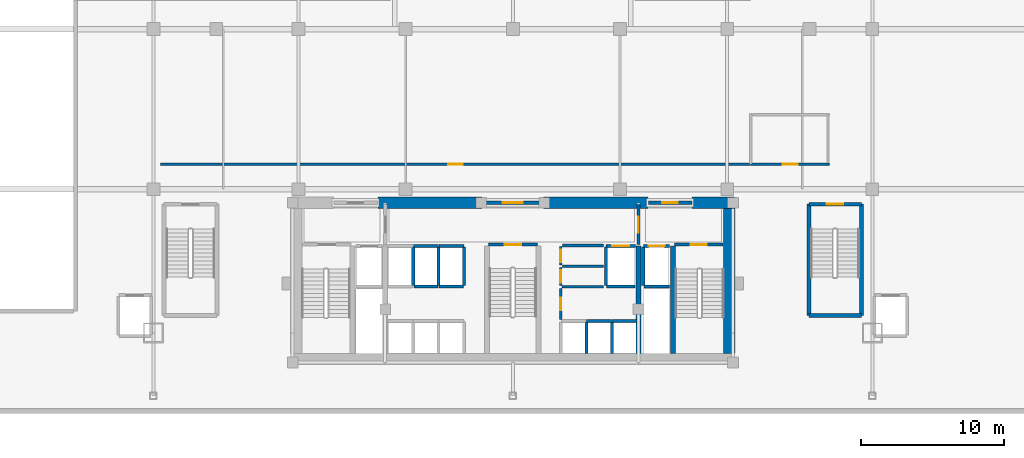
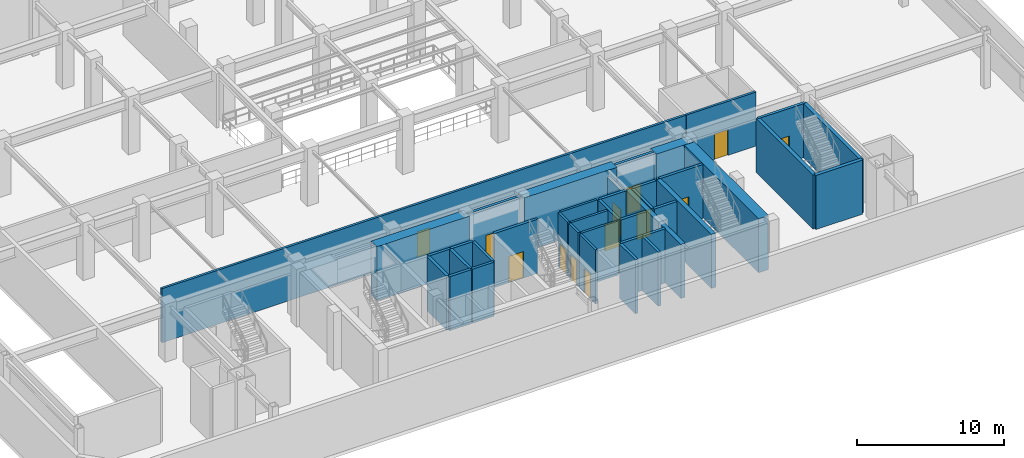
# One storey, part 6 of 10: 40 walls, 13 doors, 13 openings.
"""IFC4 building model written with IfcOpenShell, lengths in metres."""

from ifc_helpers import new_model, si_unit, direction, frame, frame_2d, origin, place, context, subcontext, project, spatial, rectangle, extrude, material, layer, layer_set, type_object, element, fill, save


model = new_model("IFC4")

# Units and contexts
model_context = context("Model", 3, precision=1e-05, world=origin(), true_north=direction((0.0, 1.0)))
body_context = subcontext(model_context, "Body", "Model", "MODEL_VIEW")
ifc_project = project(units=[si_unit("LENGTHUNIT", "METRE"), si_unit("AREAUNIT", "SQUARE_METRE"), si_unit("VOLUMEUNIT", "CUBIC_METRE"), si_unit("PLANEANGLEUNIT", "RADIAN"), si_unit("MASSUNIT", "GRAM", prefix="KILO")], contexts=[model_context])

# Site, building, storey
site_placement = place(None, origin())
site = spatial("IfcSite", under=ifc_project, at=site_placement, CompositionType="ELEMENT")
building_placement = place(site_placement, origin())
building = spatial("IfcBuilding", under=site, at=building_placement, Name="Ventersveld Concourse Tower", CompositionType="ELEMENT")
storey_placement = place(building_placement, frame((0.0, 0.0, 15.0)))
storey = spatial("IfcBuildingStorey", under=building, at=storey_placement, Name="L03", CompositionType="ELEMENT", Elevation=15.0)

# Walls
ifc_material_1 = material(Name="Concrete C60/75", Category="concrete")
ifc_layer_1 = layer(ifc_material_1, 0.35009765625)
ifc_layer_set_1 = layer_set([ifc_layer_1], Name="Concrete C60/75")
wall_type_1 = type_object("IfcWallType", Name="WL-CORE-350L", PredefinedType="SHEAR", material=ifc_layer_set_1)
for number, where, z_axis, x_axis, name in (
    (1, (37.550048828125, 0.919921875, 0.0), (0.0, 0.0, 1.0), (0.0, 1.0, 0.0), "L03 Core Internal Shear Web W-SVL-W"),
    (2, (39.9599609375, 0.919921875, 0.0), (0.0, 0.0, 1.0), (0.0, 1.0, 0.0), "L03 Core Internal Shear Web W-ST2-W"),
):
    element("IfcWall", number, at=place(storey_placement, frame(where, z_axis=z_axis, x_axis=x_axis)), inside=storey, type_object=wall_type_1, Name=name, PredefinedType="SHEAR", context=body_context, shape_type="SweptSolid", body=[
        extrude(rectangle(XDim=7.5, YDim=0.35009765625, at=frame_2d((3.75, 0.0))), origin(), (0.0, 0.0, 1.0), 4.5),
    ])
ifc_layer_2 = layer(ifc_material_1, 0.800048828125)
ifc_layer_set_2 = layer_set([ifc_layer_2], Name="Concrete C60/75")
wall_type_2 = type_object("IfcWallType", Name="WL-CORE-800", PredefinedType="SHEAR", material=ifc_layer_set_2)
wall_1_placement = place(storey_placement, frame((43.89990234375, 0.919921875, 0.0), z_axis=(0.0, 0.0, 1.0), x_axis=(0.0, 1.0, 0.0)))
element("IfcWall", 3, at=wall_1_placement, inside=storey, type_object=wall_type_2, Name="L03 Rear Core East Shear Wall", PredefinedType="SHEAR", context=body_context, shape_type="SweptSolid", body=[
    extrude(rectangle(XDim=10.530029296875, YDim=0.800048828125, at=frame_2d((5.26513671875, 0.0))), origin(), (0.0, 0.0, 1.0), 4.5),
])
for number, where, z_axis, x_axis, name in (
    (4, (19.300048828125, 11.449951171875, 0.0), (0.0, 0.0, 1.0), (1.0, 0.0, 0.0), "L03 Rear Core North Shear Wall NML"),
    (5, (30.89990234375, 11.449951171875, 0.0), (0.0, 0.0, 1.0), (1.0, 0.0, 0.0), "L03 Rear Core North Shear Wall NMR"),
):
    element("IfcWall", number, at=place(storey_placement, frame(where, z_axis=z_axis, x_axis=x_axis)), inside=storey, type_object=wall_type_2, Name=name, PredefinedType="SHEAR", context=body_context, shape_type="SweptSolid", body=[
        extrude(rectangle(XDim=7.300048828125, YDim=0.800048828125, at=frame_2d((3.64990234375, 0.0))), origin(), (0.0, 0.0, 1.0), 4.5),
    ])
wall_2_placement = place(storey_placement, frame((41.300048828125, 11.449951171875, 0.0), z_axis=(0.0, 0.0, 1.0), x_axis=(1.0, 0.0, 0.0)))
element("IfcWall", 6, at=wall_2_placement, inside=storey, type_object=wall_type_2, Name="L03 Rear Core North Shear Wall NE", PredefinedType="SHEAR", context=body_context, shape_type="SweptSolid", body=[
    extrude(rectangle(XDim=2.949951171875, YDim=0.800048828125, at=frame_2d((1.47509765625, 0.0))), origin(), (0.0, 0.0, 1.0), 4.5),
])

# Wall, opening, door
ifc_material_2 = material(Name="Fire-rated autoclaved aerated masonry blockwork", Category="masonry")
ifc_layer_3 = layer(ifc_material_2, 0.179931640625)
ifc_layer_set_3 = layer_set([ifc_layer_3], Name="Fire-rated autoclaved aerated masonry blockwork")
wall_type_3 = type_object("IfcWallType", Name="WL-CORR-180", PredefinedType="PARTITIONING", material=ifc_layer_set_3)
wall_3_placement = place(storey_placement, frame((32.10009765625, 5.64990234375, 0.0), z_axis=(0.0, 0.0, 1.0), x_axis=(0.0, 1.0, 0.0)))
wall_3 = element("IfcWall", 7, at=wall_3_placement, inside=storey, type_object=wall_type_3, Name="L03 Core Passage Wall SP-L03-CBAY1S", PredefinedType="PARTITIONING", context=body_context, shape_type="SweptSolid", body=[
    extrude(rectangle(XDim=1.27001953125, YDim=0.179931640625, at=frame_2d((0.635009765625, 0.0))), origin(), (0.0, 0.0, 1.0), 4.5),
])
opening_1_placement = place(wall_3_placement, frame((0.195068359375, 0.0, 0.0)))
opening_1 = element("IfcOpeningElement", 8, at=opening_1_placement, cuts=wall_3, Name="Opening FD5", PredefinedType="OPENING", context=body_context, shape_type="SweptSolid", body=[
    extrude(rectangle(XDim=0.8798828125, YDim=2.050048828125, at=frame_2d((0.43994140625, 1.02490234375))), frame((0.0, 0.10009765625, 0.0), z_axis=(0.0, -1.0, 0.0), x_axis=(1.0, 0.0, 0.0)), (0.0, 0.0, 1.0), 0.199951171875),
])
ifc_material_3 = material(Name="Galvanised painted steel", Category="steel")
door_type_1 = type_object("IfcDoorType", Name="DR-RISER-088", OperationType="NOTDEFINED", PredefinedType="DOOR", material=ifc_material_3)
door_1_placement = place(opening_1_placement, origin())
door_1 = element("IfcDoor", 9, at=door_1_placement, inside=storey, type_object=door_type_1, Name="L03 Core Room Door L03 Core Cleaner Store (CD-L03-0129)", OperationType="SINGLE_SWING_RIGHT", OverallHeight=2.050048828125, OverallWidth=0.8798828125, PredefinedType="DOOR", context=body_context, shape_type="SweptSolid", body=[
    extrude(rectangle(XDim=0.8798828125, YDim=2.050048828125, at=frame_2d((0.43994140625, 1.02490234375))), frame((0.0, 0.02490234375, 0.0), z_axis=(0.0, -1.0, 0.0), x_axis=(1.0, 0.0, 0.0)), (0.0, 0.0, 1.0), 0.050048828125),
])
fill(opening_1, door_1)

# Walls
wall_4_placement = place(storey_placement, frame((32.219970703125, 7.0, 0.0), z_axis=(0.0, 0.0, 1.0), x_axis=(1.0, 0.0, 0.0)))
element("IfcWall", 10, at=wall_4_placement, inside=storey, type_object=wall_type_3, Name="L03 Core Top Wall SP-L03-CBAY1S", PredefinedType="PARTITIONING", context=body_context, shape_type="SweptSolid", body=[
    extrude(rectangle(XDim=2.880126953125, YDim=0.179931640625, at=frame_2d((1.43994140625, 0.0))), origin(), (0.0, 0.0, 1.0), 4.5),
])
wall_5_placement = place(storey_placement, frame((32.179931640625, 5.570068359375, 0.0), z_axis=(0.0, 0.0, 1.0), x_axis=(1.0, 0.0, 0.0)))
element("IfcWall", 11, at=wall_5_placement, inside=storey, type_object=wall_type_3, Name="L03 Core Bot Wall SP-L03-CBAY1S", PredefinedType="PARTITIONING", context=body_context, shape_type="SweptSolid", body=[
    extrude(rectangle(XDim=2.920166015625, YDim=0.179931640625, at=frame_2d((1.4599609375, 0.0))), origin(), (0.0, 0.0, 1.0), 4.5),
])

# Wall, opening, door
wall_6_placement = place(storey_placement, frame((32.10009765625, 7.10009765625, 0.0), z_axis=(0.0, 0.0, 1.0), x_axis=(0.0, 1.0, 0.0)))
wall_6 = element("IfcWall", 12, at=wall_6_placement, inside=storey, type_object=wall_type_3, Name="L03 Core Passage Wall SP-L03-CBAY1N", PredefinedType="PARTITIONING", context=body_context, shape_type="SweptSolid", body=[
    extrude(rectangle(XDim=1.27978515625, YDim=0.179931640625, at=frame_2d((0.639892578125, 0.0))), origin(), (0.0, 0.0, 1.0), 4.5),
])
opening_2_placement = place(wall_6_placement, frame((0.199951171875, 0.0, 0.0)))
opening_2 = element("IfcOpeningElement", 13, at=opening_2_placement, cuts=wall_6, Name="Opening FD5", PredefinedType="OPENING", context=body_context, shape_type="SweptSolid", body=[
    extrude(rectangle(XDim=0.8798828125, YDim=2.050048828125, at=frame_2d((0.43994140625, 1.02490234375))), frame((0.0, 0.10009765625, 0.0), z_axis=(0.0, -1.0, 0.0), x_axis=(1.0, 0.0, 0.0)), (0.0, 0.0, 1.0), 0.199951171875),
])
door_2_placement = place(opening_2_placement, origin())
door_2 = element("IfcDoor", 14, at=door_2_placement, inside=storey, type_object=door_type_1, Name="L03 Core Room Door L03 Core Concierge Desk Room (CD-L03-0130)", OperationType="SINGLE_SWING_LEFT", OverallHeight=2.050048828125, OverallWidth=0.8798828125, PredefinedType="DOOR", context=body_context, shape_type="SweptSolid", body=[
    extrude(rectangle(XDim=0.8798828125, YDim=2.050048828125, at=frame_2d((0.43994140625, 1.02490234375))), frame((0.0, 0.02490234375, 0.0), z_axis=(0.0, -1.0, 0.0), x_axis=(1.0, 0.0, 0.0)), (0.0, 0.0, 1.0), 0.050048828125),
])
fill(opening_2, door_2)

# Wall
wall_7_placement = place(storey_placement, frame((32.219970703125, 8.4599609375, 0.0), z_axis=(0.0, 0.0, 1.0), x_axis=(1.0, 0.0, 0.0)))
element("IfcWall", 15, at=wall_7_placement, inside=storey, type_object=wall_type_3, Name="L03 Core Top Wall SP-L03-CBAY1N", PredefinedType="PARTITIONING", context=body_context, shape_type="SweptSolid", body=[
    extrude(rectangle(XDim=2.880126953125, YDim=0.179931640625, at=frame_2d((1.43994140625, 0.0))), origin(), (0.0, 0.0, 1.0), 4.5),
])

# Wall, opening, door
wall_8_placement = place(storey_placement, frame((32.10009765625, 3.280029296875, 0.0), z_axis=(0.0, 0.0, 1.0), x_axis=(0.0, 1.0, 0.0)))
wall_8 = element("IfcWall", 16, at=wall_8_placement, inside=storey, type_object=wall_type_3, Name="L03 Core Passage Wall SP-L03-CBAY2", PredefinedType="PARTITIONING", context=body_context, shape_type="SweptSolid", body=[
    extrude(rectangle(XDim=2.169921875, YDim=0.179931640625, at=frame_2d((1.0849609375, 0.0))), origin(), (0.0, 0.0, 1.0), 4.5),
])
opening_3_placement = place(wall_8_placement, frame((0.64501953125, 0.0, 0.0)))
opening_3 = element("IfcOpeningElement", 17, at=opening_3_placement, cuts=wall_8, Name="Opening FD5", PredefinedType="OPENING", context=body_context, shape_type="SweptSolid", body=[
    extrude(rectangle(XDim=0.8798828125, YDim=2.050048828125, at=frame_2d((0.43994140625, 1.02490234375))), frame((0.0, 0.10009765625, 0.0), z_axis=(0.0, -1.0, 0.0), x_axis=(1.0, 0.0, 0.0)), (0.0, 0.0, 1.0), 0.199951171875),
])
door_3_placement = place(opening_3_placement, origin())
door_3 = element("IfcDoor", 18, at=door_3_placement, inside=storey, type_object=door_type_1, Name="L03 Core Room Door L03 Core Linen Alcove Store (CD-L03-0131)", OperationType="SINGLE_SWING_RIGHT", OverallHeight=2.050048828125, OverallWidth=0.8798828125, PredefinedType="DOOR", context=body_context, shape_type="SweptSolid", body=[
    extrude(rectangle(XDim=0.8798828125, YDim=2.050048828125, at=frame_2d((0.43994140625, 1.02490234375))), frame((0.0, 0.02490234375, 0.0), z_axis=(0.0, -1.0, 0.0), x_axis=(1.0, 0.0, 0.0)), (0.0, 0.0, 1.0), 0.050048828125),
])
fill(opening_3, door_3)

wall_9_placement = place(storey_placement, frame((45.405029296875, 14.14990234375, 0.0), z_axis=(0.0, 0.0, 1.0), x_axis=(1.0, 0.0, 0.0)))
wall_9 = element("IfcWall", 19, at=wall_9_placement, inside=storey, type_object=wall_type_3, Name="L03 Interior Partition SP-L03-COR-SP-L03-AWC", PredefinedType="PARTITIONING", context=body_context, shape_type="SweptSolid", body=[
    extrude(rectangle(XDim=5.489990234375, YDim=0.179931640625, at=frame_2d((2.7451171875, 0.0))), origin(), (0.0, 0.0, 1.0), 4.5),
])
opening_4_placement = place(wall_9_placement, frame((2.219970703125, 0.0, 0.0)))
opening_4 = element("IfcOpeningElement", 20, at=opening_4_placement, cuts=wall_9, Name="Opening ID3", PredefinedType="OPENING", context=body_context, shape_type="SweptSolid", body=[
    extrude(rectangle(XDim=1.050048828125, YDim=2.14990234375, at=frame_2d((0.52490234375, 1.074951171875))), frame((0.0, 0.10009765625, 0.0), z_axis=(0.0, -1.0, 0.0), x_axis=(1.0, 0.0, 0.0)), (0.0, 0.0, 1.0), 0.199951171875),
])
ifc_material_4 = material(Name="Solid-core hardwood veneer timber", Category="wood")
door_type_2 = type_object("IfcDoorType", Name="DR-AWC-105", OperationType="NOTDEFINED", PredefinedType="DOOR", material=ifc_material_4)
door_4_placement = place(opening_4_placement, origin())
door_4 = element("IfcDoor", 21, at=door_4_placement, inside=storey, type_object=door_type_2, Name="L03 Interior Door SP-L03-COR to SP-L03-AWC (WD-L03-0132)", OperationType="SINGLE_SWING_RIGHT", OverallHeight=2.14990234375, OverallWidth=1.050048828125, PredefinedType="DOOR", context=body_context, shape_type="SweptSolid", body=[
    extrude(rectangle(XDim=1.050048828125, YDim=2.14990234375, at=frame_2d((0.52490234375, 1.074951171875))), frame((0.0, 0.02490234375, 0.0), z_axis=(0.0, -1.0, 0.0), x_axis=(1.0, 0.0, 0.0)), (0.0, 0.0, 1.0), 0.050048828125),
])
fill(opening_4, door_4)

wall_10_placement = place(storey_placement, frame((4.10498046875, 14.14990234375, 0.0), z_axis=(0.0, 0.0, 1.0), x_axis=(1.0, 0.0, 0.0)))
wall_10 = element("IfcWall", 22, at=wall_10_placement, inside=storey, type_object=wall_type_3, Name="L03 Interior Partition SP-L03-COR-SP-L03-PARK-S", PredefinedType="PARTITIONING", context=body_context, shape_type="SweptSolid", body=[
    extrude(rectangle(XDim=41.27001953125, YDim=0.179931640625, at=frame_2d((20.635009765625, 0.0))), origin(), (0.0, 0.0, 1.0), 4.5),
])
opening_5_placement = place(wall_10_placement, frame((20.135009765625, 0.0, 0.0)))
opening_5 = element("IfcOpeningElement", 23, at=opening_5_placement, cuts=wall_10, Name="Opening FD3", PredefinedType="OPENING", context=body_context, shape_type="SweptSolid", body=[
    extrude(rectangle(XDim=1.0, YDim=2.14990234375, at=frame_2d((0.5, 1.074951171875))), frame((0.0, 0.10009765625, 0.0), z_axis=(0.0, -1.0, 0.0), x_axis=(1.0, 0.0, 0.0)), (0.0, 0.0, 1.0), 0.199951171875),
])
door_type_3 = type_object("IfcDoorType", Name="DR-FLAT-100", OperationType="NOTDEFINED", PredefinedType="DOOR", material=ifc_material_4)
door_5_placement = place(opening_5_placement, origin())
door_5 = element("IfcDoor", 24, at=door_5_placement, inside=storey, type_object=door_type_3, Name="L03 Interior Door SP-L03-COR to SP-L03-PARK-S (D-L03-0133)", OperationType="SINGLE_SWING_LEFT", OverallHeight=2.14990234375, OverallWidth=1.0, PredefinedType="DOOR", context=body_context, shape_type="SweptSolid", body=[
    extrude(rectangle(XDim=1.0, YDim=2.14990234375, at=frame_2d((0.5, 1.074951171875))), frame((0.0, 0.02490234375, 0.0), z_axis=(0.0, -1.0, 0.0), x_axis=(1.0, 0.0, 0.0)), (0.0, 0.0, 1.0), 0.050048828125),
])
fill(opening_5, door_5)

# Walls
ifc_layer_4 = layer(ifc_material_2, 0.219970703125)
ifc_layer_set_4 = layer_set([ifc_layer_4], Name="Fire-rated autoclaved aerated masonry blockwork")
wall_type_4 = type_object("IfcWallType", Name="WL-HOIST-220", PredefinedType="SOLIDWALL", material=ifc_layer_set_4)
wall_11_placement = place(storey_placement, frame((37.919921875, 5.590087890625, 0.0), z_axis=(0.0, 0.0, 1.0), x_axis=(1.0, 0.0, 0.0)))
element("IfcWall", 25, at=wall_11_placement, inside=storey, type_object=wall_type_4, Name="L03 Lift Hoistway Back Wall FFL-02", PredefinedType="SOLIDWALL", context=body_context, shape_type="SweptSolid", body=[
    extrude(rectangle(XDim=1.780029296875, YDim=0.219970703125, at=frame_2d((0.89013671875, 0.0))), origin(), (0.0, 0.0, 1.0), 4.5),
])
wall_12_placement = place(storey_placement, frame((37.8798828125, 5.64990234375, 0.0), z_axis=(0.0, 0.0, 1.0), x_axis=(0.0, 1.0, 0.0)))
element("IfcWall", 26, at=wall_12_placement, inside=storey, type_object=wall_type_4, Name="L03 Lift Hoistway Side Wall FFL-02W", PredefinedType="SOLIDWALL", context=body_context, shape_type="SweptSolid", body=[
    extrude(rectangle(XDim=2.7001953125, YDim=0.219970703125, at=frame_2d((1.35009765625, 0.0))), origin(), (0.0, 0.0, 1.0), 4.5),
])

# Wall, opening, door
wall_13_placement = place(storey_placement, frame((37.89990234375, 8.429931640625, 0.0), z_axis=(0.0, 0.0, 1.0), x_axis=(1.0, 0.0, 0.0)))
wall_13 = element("IfcWall", 27, at=wall_13_placement, inside=storey, type_object=wall_type_4, Name="L03 Lift Hoistway Front Wall FFL-02", PredefinedType="SOLIDWALL", context=body_context, shape_type="SweptSolid", body=[
    extrude(rectangle(XDim=1.820068359375, YDim=0.219970703125, at=frame_2d((0.91015625, 0.0))), origin(), (0.0, 0.0, 1.0), 4.5),
])
opening_6_placement = place(wall_13_placement, frame((0.35009765625, 0.0, 0.0)))
opening_6 = element("IfcOpeningElement", 28, at=opening_6_placement, cuts=wall_13, Name="Opening LD1", PredefinedType="OPENING", context=body_context, shape_type="SweptSolid", body=[
    extrude(rectangle(XDim=1.1201171875, YDim=2.25, at=frame_2d((0.56005859375, 1.125))), frame((0.0, 0.1201171875, 0.0), z_axis=(0.0, -1.0, 0.0), x_axis=(1.0, 0.0, 0.0)), (0.0, 0.0, 1.0), 0.239990234375),
])
ifc_material_5 = material(Name="Brushed stainless steel 316", Category="steel")
door_type_4 = type_object("IfcDoorType", Name="LD-FF-112", OperationType="SLIDING_TO_LEFT", PredefinedType="DOOR", material=ifc_material_5)
door_6_placement = place(opening_6_placement, origin())
door_6 = element("IfcDoor", 29, at=door_6_placement, inside=storey, type_object=door_type_4, Name="L03 Lift landing door FFL-02 (LD-L03-FFL-02)", OperationType="SLIDING_TO_RIGHT", OverallHeight=2.25, OverallWidth=1.1201171875, PredefinedType="DOOR", context=body_context, shape_type="SweptSolid", body=[
    extrude(rectangle(XDim=1.1201171875, YDim=2.25, at=frame_2d((0.56005859375, 1.125))), frame((0.0, 0.02490234375, 0.0), z_axis=(0.0, -1.0, 0.0), x_axis=(1.0, 0.0, 0.0)), (0.0, 0.0, 1.0), 0.050048828125),
])
fill(opening_6, door_6)

# Walls
wall_14_placement = place(storey_placement, frame((35.300048828125, 5.590087890625, 0.0), z_axis=(0.0, 0.0, 1.0), x_axis=(1.0, 0.0, 0.0)))
element("IfcWall", 30, at=wall_14_placement, inside=storey, type_object=wall_type_4, Name="L03 Lift Hoistway Back Wall SVL-01", PredefinedType="SOLIDWALL", context=body_context, shape_type="SweptSolid", body=[
    extrude(rectangle(XDim=2.0, YDim=0.219970703125, at=frame_2d((1.0, 0.0))), origin(), (0.0, 0.0, 1.0), 4.5),
])
wall_15_placement = place(storey_placement, frame((35.260009765625, 5.64990234375, 0.0), z_axis=(0.0, 0.0, 1.0), x_axis=(0.0, 1.0, 0.0)))
element("IfcWall", 31, at=wall_15_placement, inside=storey, type_object=wall_type_4, Name="L03 Lift Hoistway Side Wall SVL-01W", PredefinedType="SOLIDWALL", context=body_context, shape_type="SweptSolid", body=[
    extrude(rectangle(XDim=2.7001953125, YDim=0.219970703125, at=frame_2d((1.35009765625, 0.0))), origin(), (0.0, 0.0, 1.0), 4.5),
])

# Wall, opening, door
wall_16_placement = place(storey_placement, frame((35.280029296875, 8.429931640625, 0.0), z_axis=(0.0, 0.0, 1.0), x_axis=(1.0, 0.0, 0.0)))
wall_16 = element("IfcWall", 32, at=wall_16_placement, inside=storey, type_object=wall_type_4, Name="L03 Lift Hoistway Front Wall SVL-01", PredefinedType="SOLIDWALL", context=body_context, shape_type="SweptSolid", body=[
    extrude(rectangle(XDim=2.0400390625, YDim=0.219970703125, at=frame_2d((1.02001953125, 0.0))), origin(), (0.0, 0.0, 1.0), 4.5),
])
opening_7_placement = place(wall_16_placement, frame((0.429931640625, 0.0, 0.0)))
opening_7 = element("IfcOpeningElement", 33, at=opening_7_placement, cuts=wall_16, Name="Opening LD2", PredefinedType="OPENING", context=body_context, shape_type="SweptSolid", body=[
    extrude(rectangle(XDim=1.179931640625, YDim=2.199951171875, at=frame_2d((0.58984375, 1.10009765625))), frame((0.0, 0.1201171875, 0.0), z_axis=(0.0, -1.0, 0.0), x_axis=(1.0, 0.0, 0.0)), (0.0, 0.0, 1.0), 0.239990234375),
])
door_type_5 = type_object("IfcDoorType", Name="LD-PAX-118", OperationType="SLIDING_TO_LEFT", PredefinedType="DOOR", material=ifc_material_5)
door_7_placement = place(opening_7_placement, origin())
door_7 = element("IfcDoor", 34, at=door_7_placement, inside=storey, type_object=door_type_5, Name="L03 Lift landing door SVL-01 (LD-L03-SVL-01)", OperationType="SLIDING_TO_LEFT", OverallHeight=2.199951171875, OverallWidth=1.179931640625, PredefinedType="DOOR", context=body_context, shape_type="SweptSolid", body=[
    extrude(rectangle(XDim=1.179931640625, YDim=2.199951171875, at=frame_2d((0.58984375, 1.10009765625))), frame((0.0, 0.02490234375, 0.0), z_axis=(0.0, -1.0, 0.0), x_axis=(1.0, 0.0, 0.0)), (0.0, 0.0, 1.0), 0.050048828125),
])
fill(opening_7, door_7)

# Walls
for number, where, z_axis, x_axis, name in (
    (35, (33.89990234375, 0.89990234375, 0.0), (0.0, 0.0, 1.0), (0.0, 1.0, 0.0), "L03 Lift Hoistway Side Wall PM-01E"),
    (36, (35.679931640625, 0.89990234375, 0.0), (0.0, 0.0, 1.0), (0.0, 1.0, 0.0), "L03 Lift Hoistway Side Wall PM-02E"),
):
    element("IfcWall", number, at=place(storey_placement, frame(where, z_axis=z_axis, x_axis=x_axis)), inside=storey, type_object=wall_type_4, Name=name, PredefinedType="SOLIDWALL", context=body_context, shape_type="SweptSolid", body=[
        extrude(rectangle(XDim=2.2001953125, YDim=0.219970703125, at=frame_2d((1.10009765625, 0.0))), origin(), (0.0, 0.0, 1.0), 4.5),
    ])
for number, where, z_axis, x_axis, name in (
    (37, (33.919921875, 3.179931640625, 0.0), (0.0, 0.0, 1.0), (1.0, 0.0, 0.0), "L03 Lift Hoistway Front Wall PM-02"),
    (38, (35.699951171875, 3.179931640625, 0.0), (0.0, 0.0, 1.0), (1.0, 0.0, 0.0), "L03 Lift Hoistway Front Wall PM-03"),
):
    element("IfcWall", number, at=place(storey_placement, frame(where, z_axis=z_axis, x_axis=x_axis)), inside=storey, type_object=wall_type_4, Name=name, PredefinedType="SOLIDWALL", context=body_context, shape_type="SweptSolid", body=[
        extrude(rectangle(XDim=1.739990234375, YDim=0.219970703125, at=frame_2d((0.8701171875, 0.0))), origin(), (0.0, 0.0, 1.0), 4.5),
    ])
wall_17_placement = place(storey_placement, frame((21.780029296875, 5.64990234375, 0.0), z_axis=(0.0, 0.0, 1.0), x_axis=(0.0, 1.0, 0.0)))
element("IfcWall", 39, at=wall_17_placement, inside=storey, type_object=wall_type_4, Name="L03 Lift Hoistway Side Wall PH-01E", PredefinedType="SOLIDWALL", context=body_context, shape_type="SweptSolid", body=[
    extrude(rectangle(XDim=2.7001953125, YDim=0.219970703125, at=frame_2d((1.35009765625, 0.0))), origin(), (0.0, 0.0, 1.0), 4.5),
])
wall_18_placement = place(storey_placement, frame((21.820068359375, 5.590087890625, 0.0), z_axis=(0.0, 0.0, 1.0), x_axis=(1.0, 0.0, 0.0)))
element("IfcWall", 40, at=wall_18_placement, inside=storey, type_object=wall_type_4, Name="L03 Lift Hoistway Back Wall PH-02", PredefinedType="SOLIDWALL", context=body_context, shape_type="SweptSolid", body=[
    extrude(rectangle(XDim=1.699951171875, YDim=0.219970703125, at=frame_2d((0.85009765625, 0.0))), origin(), (0.0, 0.0, 1.0), 4.5),
])
wall_19_placement = place(storey_placement, frame((23.56005859375, 5.64990234375, 0.0), z_axis=(0.0, 0.0, 1.0), x_axis=(0.0, 1.0, 0.0)))
element("IfcWall", 41, at=wall_19_placement, inside=storey, type_object=wall_type_4, Name="L03 Lift Hoistway Side Wall PH-02E", PredefinedType="SOLIDWALL", context=body_context, shape_type="SweptSolid", body=[
    extrude(rectangle(XDim=2.7001953125, YDim=0.219970703125, at=frame_2d((1.35009765625, 0.0))), origin(), (0.0, 0.0, 1.0), 4.5),
])
wall_20_placement = place(storey_placement, frame((21.800048828125, 8.429931640625, 0.0), z_axis=(0.0, 0.0, 1.0), x_axis=(1.0, 0.0, 0.0)))
element("IfcWall", 42, at=wall_20_placement, inside=storey, type_object=wall_type_4, Name="L03 Lift Hoistway Front Wall PH-02", PredefinedType="SOLIDWALL", context=body_context, shape_type="SweptSolid", body=[
    extrude(rectangle(XDim=1.739990234375, YDim=0.219970703125, at=frame_2d((0.8701171875, 0.0))), origin(), (0.0, 0.0, 1.0), 4.5),
])
wall_21_placement = place(storey_placement, frame((23.60009765625, 5.590087890625, 0.0), z_axis=(0.0, 0.0, 1.0), x_axis=(1.0, 0.0, 0.0)))
element("IfcWall", 43, at=wall_21_placement, inside=storey, type_object=wall_type_4, Name="L03 Lift Hoistway Back Wall PH-03", PredefinedType="SOLIDWALL", context=body_context, shape_type="SweptSolid", body=[
    extrude(rectangle(XDim=1.699951171875, YDim=0.219970703125, at=frame_2d((0.85009765625, 0.0))), origin(), (0.0, 0.0, 1.0), 4.5),
])
wall_22_placement = place(storey_placement, frame((25.340087890625, 5.64990234375, 0.0), z_axis=(0.0, 0.0, 1.0), x_axis=(0.0, 1.0, 0.0)))
element("IfcWall", 44, at=wall_22_placement, inside=storey, type_object=wall_type_4, Name="L03 Lift Hoistway Side Wall PH-03E", PredefinedType="SOLIDWALL", context=body_context, shape_type="SweptSolid", body=[
    extrude(rectangle(XDim=2.7001953125, YDim=0.219970703125, at=frame_2d((1.35009765625, 0.0))), origin(), (0.0, 0.0, 1.0), 4.5),
])
wall_23_placement = place(storey_placement, frame((23.580078125, 8.429931640625, 0.0), z_axis=(0.0, 0.0, 1.0), x_axis=(1.0, 0.0, 0.0)))
element("IfcWall", 45, at=wall_23_placement, inside=storey, type_object=wall_type_4, Name="L03 Lift Hoistway Front Wall PH-03", PredefinedType="SOLIDWALL", context=body_context, shape_type="SweptSolid", body=[
    extrude(rectangle(XDim=1.739990234375, YDim=0.219970703125, at=frame_2d((0.8701171875, 0.0))), origin(), (0.0, 0.0, 1.0), 4.5),
])

# Wall, opening, door
wall_24_placement = place(storey_placement, frame((40.06005859375, 8.52001953125, 0.0), z_axis=(0.0, 0.0, 1.0), x_axis=(1.0, 0.0, 0.0)))
wall_24 = element("IfcWall", 46, at=wall_24_placement, inside=storey, type_object=wall_type_4, Name="L03 Escape Stair ST02 Fire Wall", PredefinedType="SOLIDWALL", context=body_context, shape_type="SweptSolid", body=[
    extrude(rectangle(XDim=3.39990234375, YDim=0.219970703125, at=frame_2d((1.699951171875, 0.0))), origin(), (0.0, 0.0, 1.0), 4.5),
])
opening_8_placement = place(wall_24_placement, frame((1.125, 0.0, 0.0)))
opening_8 = element("IfcOpeningElement", 47, at=opening_8_placement, cuts=wall_24, Name="Opening FD1", PredefinedType="OPENING", context=body_context, shape_type="SweptSolid", body=[
    extrude(rectangle(XDim=1.14990234375, YDim=2.199951171875, at=frame_2d((0.574951171875, 1.10009765625))), frame((0.0, 0.1201171875, 0.0), z_axis=(0.0, -1.0, 0.0), x_axis=(1.0, 0.0, 0.0)), (0.0, 0.0, 1.0), 0.239990234375),
])
door_type_6 = type_object("IfcDoorType", Name="DR-STAIR-115", OperationType="NOTDEFINED", PredefinedType="DOOR", material=ifc_material_3)
door_8_placement = place(opening_8_placement, origin())
door_8 = element("IfcDoor", 48, at=door_8_placement, inside=storey, type_object=door_type_6, Name="L03 Escape Stair Door ST02 (SD-L03-0120)", OperationType="SINGLE_SWING_RIGHT", OverallHeight=2.199951171875, OverallWidth=1.14990234375, PredefinedType="DOOR", context=body_context, shape_type="SweptSolid", body=[
    extrude(rectangle(XDim=1.14990234375, YDim=2.199951171875, at=frame_2d((0.574951171875, 1.10009765625))), frame((0.0, 0.02490234375, 0.0), z_axis=(0.0, -1.0, 0.0), x_axis=(1.0, 0.0, 0.0)), (0.0, 0.0, 1.0), 0.050048828125),
])
fill(opening_8, door_8)

wall_25_placement = place(storey_placement, frame((27.0400390625, 8.52001953125, 0.0), z_axis=(0.0, 0.0, 1.0), x_axis=(1.0, 0.0, 0.0)))
wall_25 = element("IfcWall", 49, at=wall_25_placement, inside=storey, type_object=wall_type_4, Name="L03 Escape Stair ST03 Fire Wall", PredefinedType="SOLIDWALL", context=body_context, shape_type="SweptSolid", body=[
    extrude(rectangle(XDim=3.419921875, YDim=0.219970703125, at=frame_2d((1.7099609375, 0.0))), origin(), (0.0, 0.0, 1.0), 4.5),
])
opening_9_placement = place(wall_25_placement, frame((1.135009765625, 0.0, 0.0)))
opening_9 = element("IfcOpeningElement", 50, at=opening_9_placement, cuts=wall_25, Name="Opening FD1", PredefinedType="OPENING", context=body_context, shape_type="SweptSolid", body=[
    extrude(rectangle(XDim=1.14990234375, YDim=2.199951171875, at=frame_2d((0.574951171875, 1.10009765625))), frame((0.0, 0.1201171875, 0.0), z_axis=(0.0, -1.0, 0.0), x_axis=(1.0, 0.0, 0.0)), (0.0, 0.0, 1.0), 0.239990234375),
])
door_9_placement = place(opening_9_placement, origin())
door_9 = element("IfcDoor", 51, at=door_9_placement, inside=storey, type_object=door_type_6, Name="L03 Escape Stair Door ST03 (SD-L03-0121)", OperationType="SINGLE_SWING_LEFT", OverallHeight=2.199951171875, OverallWidth=1.14990234375, PredefinedType="DOOR", context=body_context, shape_type="SweptSolid", body=[
    extrude(rectangle(XDim=1.14990234375, YDim=2.199951171875, at=frame_2d((0.574951171875, 1.10009765625))), frame((0.0, 0.02490234375, 0.0), z_axis=(0.0, -1.0, 0.0), x_axis=(1.0, 0.0, 0.0)), (0.0, 0.0, 1.0), 0.050048828125),
])
fill(opening_9, door_9)

wall_26_placement = place(storey_placement, frame((49.4599609375, 11.35009765625, 0.0), z_axis=(0.0, 0.0, 1.0), x_axis=(1.0, 0.0, 0.0)))
wall_26 = element("IfcWall", 52, at=wall_26_placement, inside=storey, type_object=wall_type_4, Name="L03 Escape Stair ST05 Fire Wall", PredefinedType="SOLIDWALL", context=body_context, shape_type="SweptSolid", body=[
    extrude(rectangle(XDim=3.679931640625, YDim=0.219970703125, at=frame_2d((1.83984375, 0.0))), origin(), (0.0, 0.0, 1.0), 4.5),
])
opening_10_placement = place(wall_26_placement, frame((1.264892578125, 0.0, 0.0)))
opening_10 = element("IfcOpeningElement", 53, at=opening_10_placement, cuts=wall_26, Name="Opening FD1", PredefinedType="OPENING", context=body_context, shape_type="SweptSolid", body=[
    extrude(rectangle(XDim=1.14990234375, YDim=2.199951171875, at=frame_2d((0.574951171875, 1.10009765625))), frame((0.0, 0.1201171875, 0.0), z_axis=(0.0, -1.0, 0.0), x_axis=(1.0, 0.0, 0.0)), (0.0, 0.0, 1.0), 0.239990234375),
])
door_10_placement = place(opening_10_placement, origin())
door_10 = element("IfcDoor", 54, at=door_10_placement, inside=storey, type_object=door_type_6, Name="L03 Escape Stair Door ST05 (SD-L03-0123)", OperationType="SINGLE_SWING_LEFT", OverallHeight=2.199951171875, OverallWidth=1.14990234375, PredefinedType="DOOR", context=body_context, shape_type="SweptSolid", body=[
    extrude(rectangle(XDim=1.14990234375, YDim=2.199951171875, at=frame_2d((0.574951171875, 1.10009765625))), frame((0.0, 0.02490234375, 0.0), z_axis=(0.0, -1.0, 0.0), x_axis=(1.0, 0.0, 0.0)), (0.0, 0.0, 1.0), 0.050048828125),
])
fill(opening_10, door_10)

wall_27_placement = place(storey_placement, frame((37.550048828125, 8.52001953125, 0.0), z_axis=(0.0, 0.0, 1.0), x_axis=(0.0, 1.0, 0.0)))
wall_27 = element("IfcWall", 55, at=wall_27_placement, inside=storey, type_object=wall_type_4, Name="L03 Firefighting Lobby Smoke-Stop Wall FFLE-SEP", PredefinedType="SOLIDWALL", context=body_context, shape_type="SweptSolid", body=[
    extrude(rectangle(XDim=2.800048828125, YDim=0.219970703125, at=frame_2d((1.39990234375, 0.0))), origin(), (0.0, 0.0, 1.0), 3.95556640625),
])
opening_11_placement = place(wall_27_placement, frame((0.85009765625, 0.0, 0.0)))
opening_11 = element("IfcOpeningElement", 56, at=opening_11_placement, cuts=wall_27, Name="Opening FD2", PredefinedType="OPENING", context=body_context, shape_type="SweptSolid", body=[
    extrude(rectangle(XDim=1.10009765625, YDim=2.199951171875, at=frame_2d((0.550048828125, 1.10009765625))), frame((0.0, 0.1201171875, 0.0), z_axis=(0.0, -1.0, 0.0), x_axis=(1.0, 0.0, 0.0)), (0.0, 0.0, 1.0), 0.239990234375),
])
door_type_7 = type_object("IfcDoorType", Name="DR-FFL-110", OperationType="NOTDEFINED", PredefinedType="DOOR", material=ifc_material_3)
door_11_placement = place(opening_11_placement, origin())
door_11 = element("IfcDoor", 57, at=door_11_placement, inside=storey, type_object=door_type_7, Name="L03 Firefighting Lobby Door FFLE-SEP (FD-L03-0125)", OperationType="SINGLE_SWING_RIGHT", OverallHeight=2.199951171875, OverallWidth=1.10009765625, PredefinedType="DOOR", context=body_context, shape_type="SweptSolid", body=[
    extrude(rectangle(XDim=1.10009765625, YDim=2.199951171875, at=frame_2d((0.550048828125, 1.10009765625))), frame((0.0, 0.02490234375, 0.0), z_axis=(0.0, -1.0, 0.0), x_axis=(1.0, 0.0, 0.0)), (0.0, 0.0, 1.0), 0.050048828125),
])
fill(opening_11, door_11)

wall_28_placement = place(storey_placement, frame((26.6298828125, 11.449951171875, 0.0), z_axis=(0.0, 0.0, 1.0), x_axis=(1.0, 0.0, 0.0)))
wall_28 = element("IfcWall", 58, at=wall_28_placement, inside=storey, type_object=wall_type_4, Name="L03 Core North Fire Portal PLOB-OUT", PredefinedType="SOLIDWALL", context=body_context, shape_type="SweptSolid", body=[
    extrude(rectangle(XDim=4.240234375, YDim=0.219970703125, at=frame_2d((2.1201171875, 0.0))), origin(), (0.0, 0.0, 1.0), 4.5),
])
opening_12_placement = place(wall_28_placement, frame((1.419921875, 0.0, 0.0)))
opening_12 = element("IfcOpeningElement", 59, at=opening_12_placement, cuts=wall_28, Name="Opening FD4", PredefinedType="OPENING", context=body_context, shape_type="SweptSolid", body=[
    extrude(rectangle(XDim=1.39990234375, YDim=2.199951171875, at=frame_2d((0.699951171875, 1.10009765625))), frame((0.0, 0.1201171875, 0.0), z_axis=(0.0, -1.0, 0.0), x_axis=(1.0, 0.0, 0.0)), (0.0, 0.0, 1.0), 0.239990234375),
])
door_type_8 = type_object("IfcDoorType", Name="DR-PLANT-140", OperationType="DOUBLE_DOOR_SINGLE_SWING", PredefinedType="DOOR", material=ifc_material_3)
door_12_placement = place(opening_12_placement, origin())
door_12 = element("IfcDoor", 60, at=door_12_placement, inside=storey, type_object=door_type_8, Name="L03 Core Lobby Fire Door PLOB-OUT (FD-L03-0127)", OperationType="DOUBLE_DOOR_SINGLE_SWING", OverallHeight=2.199951171875, OverallWidth=1.39990234375, PredefinedType="DOOR", context=body_context, shape_type="SweptSolid", body=[
    extrude(rectangle(XDim=1.39990234375, YDim=2.199951171875, at=frame_2d((0.699951171875, 1.10009765625))), frame((0.0, 0.02490234375, 0.0), z_axis=(0.0, -1.0, 0.0), x_axis=(1.0, 0.0, 0.0)), (0.0, 0.0, 1.0), 0.050048828125),
])
fill(opening_12, door_12)

wall_29_placement = place(storey_placement, frame((38.22998046875, 11.449951171875, 0.0), z_axis=(0.0, 0.0, 1.0), x_axis=(1.0, 0.0, 0.0)))
wall_29 = element("IfcWall", 61, at=wall_29_placement, inside=storey, type_object=wall_type_4, Name="L03 Core North Fire Portal FFLE-OUT", PredefinedType="SOLIDWALL", context=body_context, shape_type="SweptSolid", body=[
    extrude(rectangle(XDim=3.0400390625, YDim=0.219970703125, at=frame_2d((1.52001953125, 0.0))), origin(), (0.0, 0.0, 1.0), 4.5),
])
opening_13_placement = place(wall_29_placement, frame((0.969970703125, 0.0, 0.0)))
opening_13 = element("IfcOpeningElement", 62, at=opening_13_placement, cuts=wall_29, Name="Opening FD2", PredefinedType="OPENING", context=body_context, shape_type="SweptSolid", body=[
    extrude(rectangle(XDim=1.10009765625, YDim=2.199951171875, at=frame_2d((0.550048828125, 1.10009765625))), frame((0.0, 0.1201171875, 0.0), z_axis=(0.0, -1.0, 0.0), x_axis=(1.0, 0.0, 0.0)), (0.0, 0.0, 1.0), 0.239990234375),
])
door_13_placement = place(opening_13_placement, origin())
door_13 = element("IfcDoor", 63, at=door_13_placement, inside=storey, type_object=door_type_7, Name="L03 Core Lobby Fire Door FFLE-OUT (FD-L03-0128)", OperationType="SINGLE_SWING_LEFT", OverallHeight=2.199951171875, OverallWidth=1.10009765625, PredefinedType="DOOR", context=body_context, shape_type="SweptSolid", body=[
    extrude(rectangle(XDim=1.10009765625, YDim=2.199951171875, at=frame_2d((0.550048828125, 1.10009765625))), frame((0.0, 0.02490234375, 0.0), z_axis=(0.0, -1.0, 0.0), x_axis=(1.0, 0.0, 0.0)), (0.0, 0.0, 1.0), 0.050048828125),
])
fill(opening_13, door_13)

# Walls
ifc_material_6 = material(Name="Concrete C50/60", Category="concrete")
ifc_layer_5 = layer(ifc_material_6, 0.280029296875)
ifc_layer_set_5 = layer_set([ifc_layer_5], Name="Concrete C50/60")
wall_type_5 = type_object("IfcWallType", Name="WL-SHAFT-280", PredefinedType="SHEAR", material=ifc_layer_set_5)
wall_30_placement = place(storey_placement, frame((49.4599609375, 3.56005859375, 0.0), z_axis=(0.0, 0.0, 1.0), x_axis=(1.0, 0.0, 0.0)))
element("IfcWall", 64, at=wall_30_placement, inside=storey, type_object=wall_type_5, Name="L03 ST05 Structural Shaft Wall S", PredefinedType="SHEAR", context=body_context, shape_type="SweptSolid", body=[
    extrude(rectangle(XDim=3.679931640625, YDim=0.280029296875, at=frame_2d((1.83984375, 0.0))), origin(), (0.0, 0.0, 1.0), 4.5),
])
for number, where, z_axis, x_axis, name in (
    (65, (49.4599609375, 3.56005859375, 0.0), (0.0, 0.0, 1.0), (0.0, 1.0, 0.0), "L03 ST05 Structural Shaft Wall W"),
    (66, (53.139892578125, 3.56005859375, 0.0), (0.0, 0.0, 1.0), (0.0, 1.0, 0.0), "L03 ST05 Structural Shaft Wall E"),
):
    element("IfcWall", number, at=place(storey_placement, frame(where, z_axis=z_axis, x_axis=x_axis)), inside=storey, type_object=wall_type_5, Name=name, PredefinedType="SHEAR", context=body_context, shape_type="SweptSolid", body=[
        extrude(rectangle(XDim=7.7900390625, YDim=0.280029296875, at=frame_2d((3.89501953125, 0.0))), origin(), (0.0, 0.0, 1.0), 4.5),
    ])

save(model, "model.ifc")
